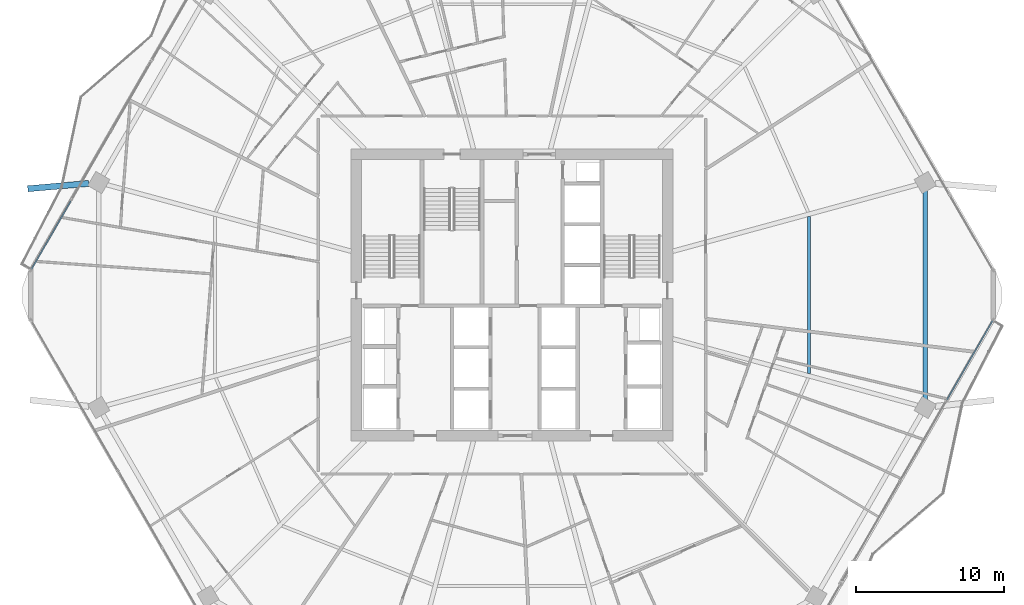
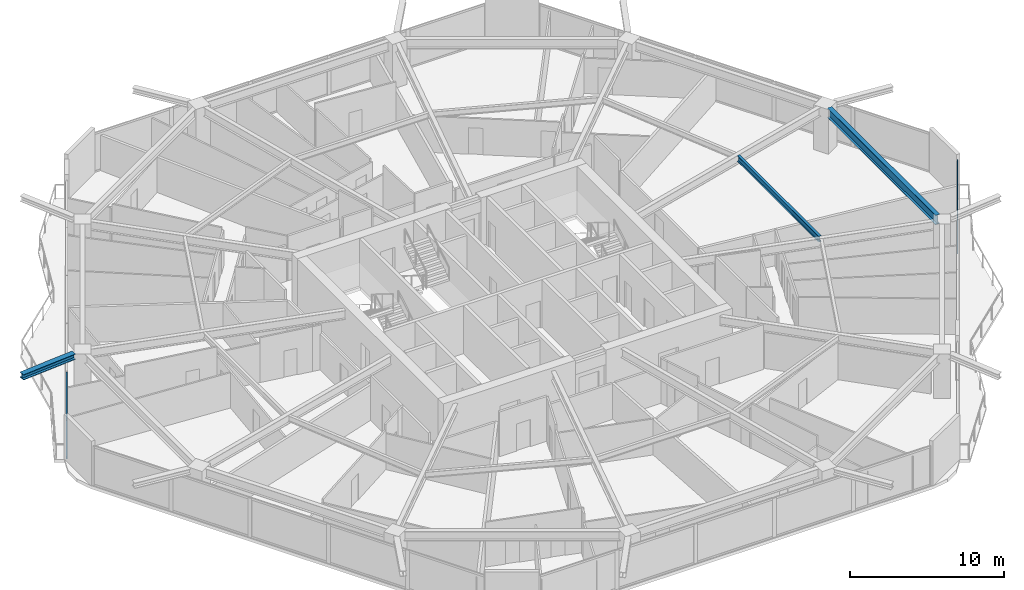
# One storey, part 12 of 32: 4 members, 3 beams, 2 elements without a shape of their own.
"""IFC4 building model written with IfcOpenShell, lengths in metres."""

from ifc_helpers import new_model, si_unit, direction, frame, origin, origin_2d, place, context, subcontext, project, spatial, hollow_rectangle, i_section, extrude, material, material_profile, profile_set, type_object, element, aggregate, save


model = new_model("IFC4")

# Units and contexts
model_context = context("Model", 3, precision=1e-05, world=origin(), true_north=direction((0.0, 1.0)))
body_context = subcontext(model_context, "Body", "Model", "MODEL_VIEW")
ifc_project = project(units=[si_unit("LENGTHUNIT", "METRE"), si_unit("AREAUNIT", "SQUARE_METRE"), si_unit("VOLUMEUNIT", "CUBIC_METRE"), si_unit("PLANEANGLEUNIT", "RADIAN"), si_unit("MASSUNIT", "GRAM", prefix="KILO")], contexts=[model_context])

# Site, building, storey
site_placement = place(None, origin())
site = spatial("IfcSite", under=ifc_project, at=site_placement, CompositionType="ELEMENT")
building_placement = place(site_placement, origin())
building = spatial("IfcBuilding", under=site, at=building_placement, Name="Zuhravey Tower", CompositionType="ELEMENT")
storey_placement = place(building_placement, frame((0.0, 0.0, 119.0)))
storey = spatial("IfcBuildingStorey", under=building, at=storey_placement, Name="L29", CompositionType="ELEMENT", Elevation=119.0)

# Curtain wall, members
ifc_material_1 = material(Name="Thermally broken anodised aluminium", Category="aluminium")
curtain_wall_type = type_object("IfcCurtainWallType", Name="Zone 1-2 Residential Curtain Wall CW3", PredefinedType="NOTDEFINED", material=ifc_material_1)
curtain_wall_1_placement = place(storey_placement, origin())
curtain_wall_1 = element("IfcCurtainWall", 1, at=curtain_wall_1_placement, inside=storey, type_object=curtain_wall_type, Name="L29 CW3 CW-L29-F6-1", PredefinedType="NOTDEFINED")
ifc_material_2 = material(Name="Anodised aluminium", Category="aluminium")
ifc_material_profile_1 = material_profile(ifc_material_2, hollow_rectangle(XDim=0.090087890625, YDim=0.14990234375, WallThickness=0.0048828125, at=origin_2d()), Name="ALU-RHS-90x150x5")
ifc_profile_set_1 = profile_set([ifc_material_profile_1], Name="Anodised aluminium")
member_type = type_object("IfcMemberType", Name="Curtain-Wall Transom 90x150", PredefinedType="USERDEFINED", material=ifc_profile_set_1)
member_1_placement = place(storey_placement, frame((68.43359375, 30.259521484375, 0.044921875), z_axis=(-0.500017101833, -0.866015529811, 0.0), x_axis=(0.866015529811, -0.500017101833, 0.0)))
member_1 = element("IfcMember", 2, at=member_1_placement, type_object=member_type, Name="CW3 transom 1.1", ObjectType="TRANSOM", PredefinedType="USERDEFINED", context=body_context, shape_type="SweptSolid", body=[
    extrude(hollow_rectangle(XDim=0.090087890625, YDim=0.14990234375, WallThickness=0.0048828125, at=origin_2d()), origin(), (0.0, 0.0, 1.0), 6.168212890625),
])
member_2_placement = place(storey_placement, frame((68.43359375, 30.259521484375, 3.076904296875), z_axis=(-0.500017101833, -0.866015529811, 0.0), x_axis=(0.866015529811, -0.500017101833, 0.0)))
member_2 = element("IfcMember", 3, at=member_2_placement, type_object=member_type, Name="CW3 transom 1.2", ObjectType="TRANSOM", PredefinedType="USERDEFINED", context=body_context, shape_type="SweptSolid", body=[
    extrude(hollow_rectangle(XDim=0.090087890625, YDim=0.14990234375, WallThickness=0.0048828125, at=origin_2d()), origin(), (0.0, 0.0, 1.0), 6.168212890625),
])
aggregate(curtain_wall_1, [member_1, member_2])

curtain_wall_2_placement = place(storey_placement, origin())
curtain_wall_2 = element("IfcCurtainWall", 4, at=curtain_wall_2_placement, inside=storey, type_object=curtain_wall_type, Name="L29 CW3 CW-L29-F3-1", PredefinedType="NOTDEFINED")
member_3_placement = place(storey_placement, frame((3.56640625, 33.740478515625, 0.044921875), z_axis=(0.500007419992, 0.866021119808, 0.0), x_axis=(-0.866021119808, 0.500007419992, 0.0)))
member_3 = element("IfcMember", 5, at=member_3_placement, type_object=member_type, Name="CW3 transom 1.1", ObjectType="TRANSOM", PredefinedType="USERDEFINED", context=body_context, shape_type="SweptSolid", body=[
    extrude(hollow_rectangle(XDim=0.090087890625, YDim=0.14990234375, WallThickness=0.0048828125, at=origin_2d()), origin(), (0.0, 0.0, 1.0), 5.31494140625),
])
member_4_placement = place(storey_placement, frame((3.56640625, 33.740478515625, 3.076904296875), z_axis=(0.500007419992, 0.866021119808, 0.0), x_axis=(-0.866021119808, 0.500007419992, 0.0)))
member_4 = element("IfcMember", 6, at=member_4_placement, type_object=member_type, Name="CW3 transom 1.2", ObjectType="TRANSOM", PredefinedType="USERDEFINED", context=body_context, shape_type="SweptSolid", body=[
    extrude(hollow_rectangle(XDim=0.090087890625, YDim=0.14990234375, WallThickness=0.0048828125, at=origin_2d()), origin(), (0.0, 0.0, 1.0), 5.31494140625),
])
aggregate(curtain_wall_2, [member_3, member_4])

# Beams
ifc_material_3 = material(Name="Steel SM460", Category="steel")
ifc_material_profile_2 = material_profile(ifc_material_3, i_section(OverallWidth=0.406982421875, OverallDepth=0.427978515625, WebThickness=0.02001953125, FlangeThickness=0.034912109375, at=origin_2d()), Name="H-428x407x20x35")
ifc_profile_set_2 = profile_set([ifc_material_profile_2], Name="Steel SM460")
beam_type_1 = type_object("IfcBeamType", Name="Exoskeleton Node Tie Beam H428x407", PredefinedType="BEAM", material=ifc_profile_set_2)
beam_1_placement = place(storey_placement, frame((7.43798828125, 39.53271484375, 3.3359375), z_axis=(-0.996180045608, -0.08732305957, 0.0), x_axis=(0.08732305957, -0.996180045608, 0.0)))
element("IfcBeam", 7, at=beam_1_placement, inside=storey, type_object=beam_type_1, Name="L29 Exoskeleton Node Tie NT1-06", PredefinedType="BEAM", context=body_context, shape_type="SweptSolid", body=[
    extrude(i_section(OverallWidth=0.406982421875, OverallDepth=0.427978515625, WebThickness=0.02001953125, FlangeThickness=0.034912109375, at=origin_2d()), origin(), (0.0, 0.0, 1.0), 4.13232421875),
])
ifc_material_4 = material(Name="Steel SM355", Category="steel")
ifc_material_profile_3 = material_profile(ifc_material_4, i_section(OverallWidth=0.320068359375, OverallDepth=0.75, WebThickness=0.013916015625, FlangeThickness=0.02490234375, at=origin_2d()), Name="H-750x320x14x25")
ifc_profile_set_3 = profile_set([ifc_material_profile_3], Name="Steel SM355")
beam_type_2 = type_object("IfcBeamType", Name="Perimeter Ring Beam H750x320", PredefinedType="BEAM", material=ifc_profile_set_3)
beam_2_placement = place(storey_placement, frame((63.88916015625, 24.96142578125, 3.175048828125), z_axis=(0.0, 1.0, 0.0), x_axis=(-1.0, 0.0, 0.0)))
element("IfcBeam", 8, at=beam_2_placement, inside=storey, type_object=beam_type_2, Name="L29 PB1 BM-L29-PB-12", PredefinedType="BEAM", context=body_context, shape_type="SweptSolid", body=[
    extrude(i_section(OverallWidth=0.320068359375, OverallDepth=0.75, WebThickness=0.013916015625, FlangeThickness=0.02490234375, at=origin_2d()), origin(), (0.0, 0.0, 1.0), 14.0771484375),
])
ifc_material_profile_4 = material_profile(ifc_material_4, i_section(OverallWidth=0.199951171875, OverallDepth=0.449951171875, WebThickness=0.009033203125, FlangeThickness=0.013916015625, at=origin_2d()), Name="H-450x200x9x14")
ifc_profile_set_4 = profile_set([ifc_material_profile_4], Name="Steel SM355")
beam_type_3 = type_object("IfcBeamType", Name="Secondary Floor Joist H450x200", PredefinedType="JOIST", material=ifc_profile_set_4)
beam_3_placement = place(storey_placement, frame((56.052490234375, 26.695556640625, 3.324951171875), z_axis=(0.0, 1.0, 0.0), x_axis=(-1.0, 0.0, 0.0)))
element("IfcBeam", 9, at=beam_3_placement, inside=storey, type_object=beam_type_3, Name="L29 SJ1 BM-L29-SJ-12-1", PredefinedType="JOIST", context=body_context, shape_type="SweptSolid", body=[
    extrude(i_section(OverallWidth=0.199951171875, OverallDepth=0.449951171875, WebThickness=0.009033203125, FlangeThickness=0.013916015625, at=origin_2d()), origin(), (0.0, 0.0, 1.0), 10.60888671875),
])

save(model, "model.ifc")
